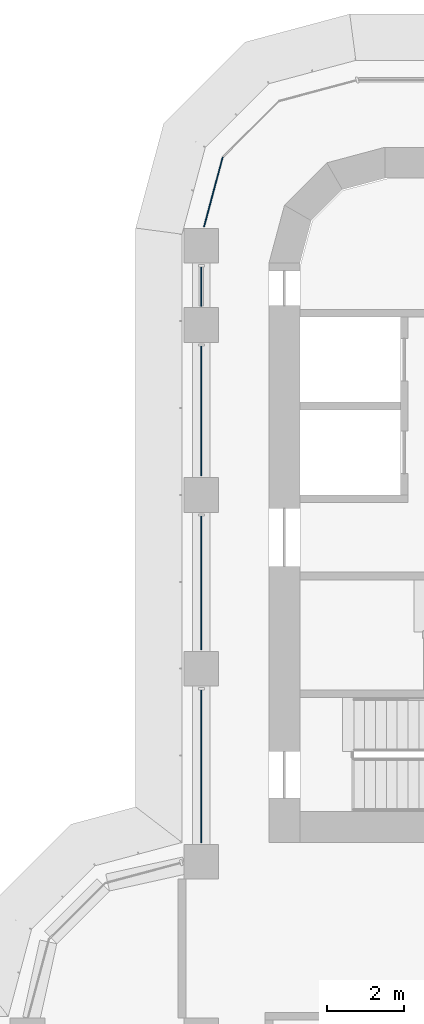
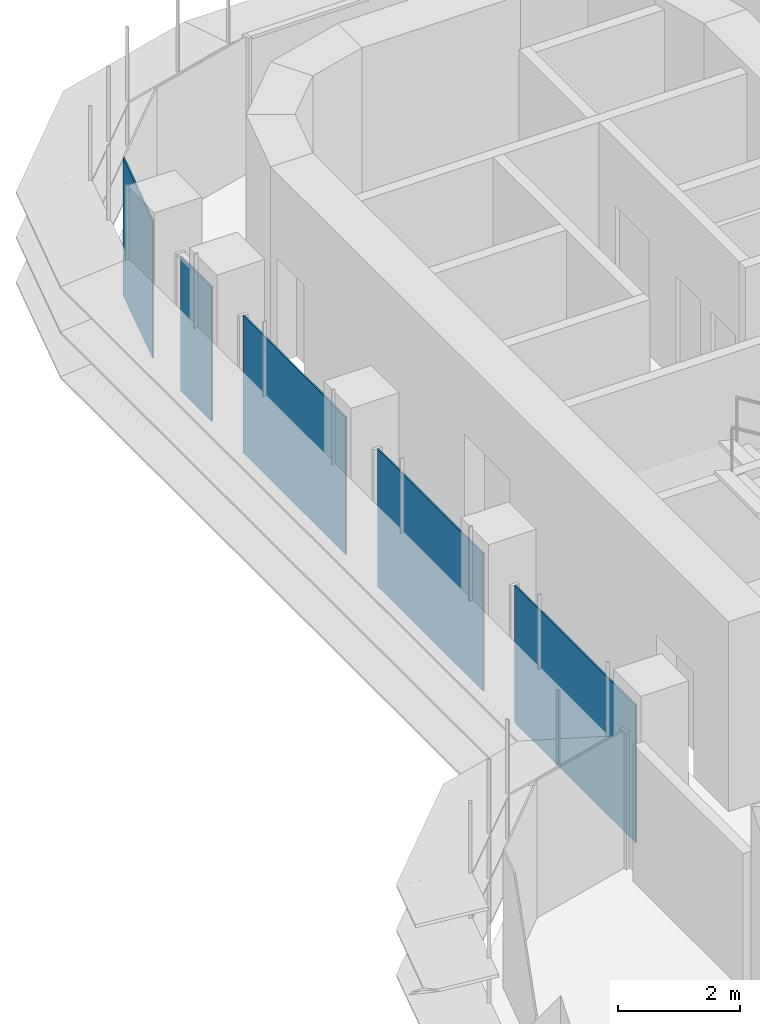
# One storey, part 13 of 21: 5 plates, 2 elements without a shape of their own.
"""IFC4 building model written with IfcOpenShell, lengths in metres."""

from ifc_helpers import new_model, si_unit, direction, frame, origin, place, context, subcontext, project, spatial, polyline, outline, extrude, source, transform, mapped, material, layer, layer_set, type_object, element, aggregate, save


model = new_model("IFC4")

# Units and contexts
model_context = context("Model", 3, precision=1e-05, world=origin(), true_north=direction((0.0, 1.0)))
body_context = subcontext(model_context, "Body", "Model", "MODEL_VIEW")
ifc_project = project(units=[si_unit("LENGTHUNIT", "METRE"), si_unit("AREAUNIT", "SQUARE_METRE"), si_unit("VOLUMEUNIT", "CUBIC_METRE"), si_unit("PLANEANGLEUNIT", "RADIAN"), si_unit("MASSUNIT", "GRAM", prefix="KILO")], contexts=[model_context])

# Site, building, storey
site_placement = place(None, origin())
site = spatial("IfcSite", under=ifc_project, at=site_placement, CompositionType="ELEMENT")
building_placement = place(site_placement, origin())
building = spatial("IfcBuilding", under=site, at=building_placement, Name="Zarbagh Exchange Tower", CompositionType="ELEMENT")
storey_placement = place(building_placement, frame((0.0, 0.0, 128.39990234375)))
storey = spatial("IfcBuildingStorey", under=building, at=storey_placement, Name="L30", CompositionType="ELEMENT", Elevation=128.39990234375)

# Curtain wall, plates
ifc_material_1 = material(Name="Anodised aluminium frame and glazing", Category="aluminium")
curtain_wall_type = type_object("IfcCurtainWallType", Name="CWA Ribbon glazing, lower zones", PredefinedType="NOTDEFINED", material=ifc_material_1)
curtain_wall_1_placement = place(storey_placement, origin())
curtain_wall_1 = element("IfcCurtainWall", 1, at=curtain_wall_1_placement, inside=storey, type_object=curtain_wall_type, Name="CWA56 curtain wall", PredefinedType="NOTDEFINED")
ifc_material_2 = material(Name="Low-e double glazed unit, 6+12+6 mm")
ifc_layer = layer(ifc_material_2, 0.028076171875)
ifc_layer_set = layer_set([ifc_layer], Name="PAA Glazing panel, Low-e double glazed unit, 6+12+6 mm")
plate_type = type_object("IfcPlateType", Name="PAA Glazing panel, Low-e double glazed unit, 6+12+6 mm", PredefinedType="CURTAIN_PANEL", material=ifc_layer_set)
shared_shape_1 = source(origin(), body_context, "Body", "SweptSolid", [
    extrude(outline(polyline([(0.0, -0.013916015625), (3.360107421875, -0.013916015625), (3.360107421875, 0.013916015625), (0.0, 0.013916015625), (0.0, -0.013916015625)])), origin(), (0.0, 0.0, 1.0), 2.75),
])
placement = place(storey_placement, origin())
plate_1 = element("IfcPlate", 2, at=placement, type_object=plate_type, Name="CWA56 glazing panel 2.1", PredefinedType="CURTAIN_PANEL", context=body_context, shape_type="MappedRepresentation", body=[
    mapped(shared_shape_1, transform((-6.25, 24.099853515625, 0.0), x_axis=(0.0, -1.0, 0.0), y_axis=(1.0, 0.0, 0.0), z_axis=(0.0, 0.0, 1.0))),
])
shared_shape_2 = source(origin(), body_context, "Body", "SweptSolid", [
    extrude(outline(polyline([(0.0, -0.013916015625), (3.4599609375, -0.013916015625), (3.4599609375, 0.013916015625), (0.0, 0.013916015625), (0.0, -0.013916015625)])), origin(), (0.0, 0.0, 1.0), 2.75),
])
plate_2 = element("IfcPlate", 3, at=placement, type_object=plate_type, Name="CWA56 glazing panel 3.1", PredefinedType="CURTAIN_PANEL", context=body_context, shape_type="MappedRepresentation", body=[
    mapped(shared_shape_2, transform((-6.25, 19.699951171875, 0.0), x_axis=(0.0, -1.0, 0.0), y_axis=(1.0, 0.0, 0.0), z_axis=(0.0, 0.0, 1.0))),
])
shared_shape_3 = source(origin(), body_context, "Body", "SweptSolid", [
    extrude(outline(polyline([(0.0, -0.013916015625), (3.9599609375, -0.013916015625), (3.9599609375, 0.013916015625), (0.0, 0.013916015625), (0.0, -0.013916015625)])), origin(), (0.0, 0.0, 1.0), 2.75),
])
plate_3 = element("IfcPlate", 4, at=placement, type_object=plate_type, Name="CWA56 glazing panel 4.1", PredefinedType="CURTAIN_PANEL", context=body_context, shape_type="MappedRepresentation", body=[
    mapped(shared_shape_3, transform((-6.25, 15.199951171875, 0.0), x_axis=(0.0, -1.0, 0.0), y_axis=(1.0, 0.0, 0.0), z_axis=(0.0, 0.0, 1.0))),
])

# Curtain wall, plate
curtain_wall_2_placement = place(storey_placement, origin())
curtain_wall_2 = element("IfcCurtainWall", 5, at=curtain_wall_2_placement, inside=storey, type_object=curtain_wall_type, Name="CWA55 curtain wall", PredefinedType="NOTDEFINED")
shared_shape_4 = source(origin(), body_context, "Body", "SweptSolid", [
    extrude(outline(polyline([(0.0, -0.013916015625), (1.86474609375, -0.013916015625), (1.86474609375, 0.013916015625), (0.0, 0.013916015625), (0.0, -0.013916015625)])), origin(), (0.0, 0.0, 1.0), 2.75),
])
plate_4 = element("IfcPlate", 6, at=placement, type_object=plate_type, Name="CWA55 glazing panel 1.1", PredefinedType="CURTAIN_PANEL", context=body_context, shape_type="MappedRepresentation", body=[
    mapped(shared_shape_4, transform((-5.69873046875, 28.9912109375, 0.0), x_axis=(-0.258824779902, -0.965924289636, 0.0), y_axis=(0.965924289636, -0.258824779902, 0.0), z_axis=(0.0, 0.0, 1.0))),
])
aggregate(curtain_wall_2, [plate_4])

# Plate
shared_shape_5 = source(origin(), body_context, "Body", "SweptSolid", [
    extrude(outline(polyline([(0.0, -0.013916015625), (1.010009765625, -0.013916015625), (1.010009765625, 0.013916015625), (0.0, 0.013916015625), (0.0, -0.013916015625)])), origin(), (0.0, 0.0, 1.0), 2.68994140625),
])
plate_5 = element("IfcPlate", 7, at=placement, type_object=plate_type, Name="CWA56 glazing panel 1.1", PredefinedType="CURTAIN_PANEL", context=body_context, shape_type="MappedRepresentation", body=[
    mapped(shared_shape_5, transform((-6.25, 26.14990234375, 0.0), x_axis=(0.0, -1.0, 0.0), y_axis=(1.0, 0.0, 0.0), z_axis=(0.0, 0.0, 1.0))),
])

aggregate(curtain_wall_1, [plate_5, plate_1, plate_2, plate_3])

save(model, "model.ifc")
